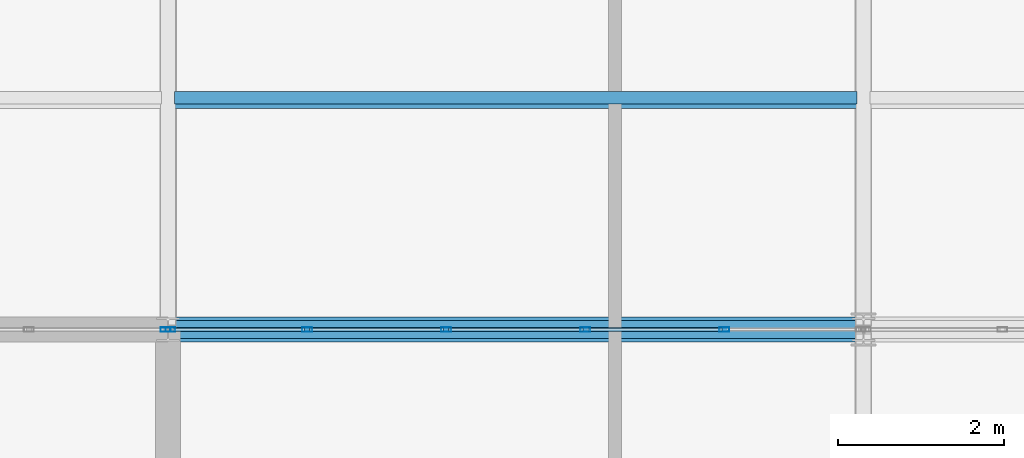
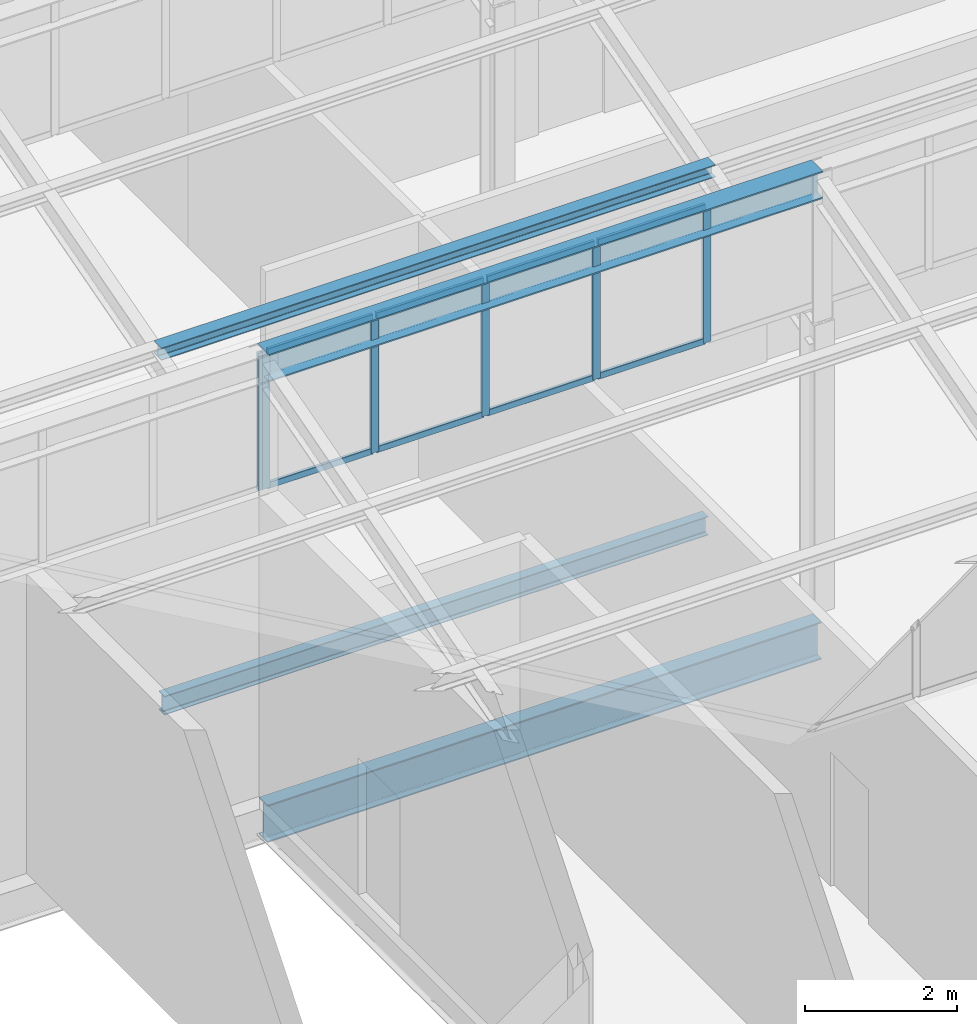
# One storey, part 22 of 53: 15 members, 3 beams, 2 elements without a shape of their own.
"""IFC4 building model written with IfcOpenShell, lengths in metres."""

from ifc_helpers import new_model, si_unit, direction, frame, origin, origin_2d, place, context, subcontext, project, spatial, hollow_rectangle, i_section, extrude, material, layer, layer_set, material_profile, profile_set, type_object, element, aggregate, save


model = new_model("IFC4")

# Units and contexts
model_context = context("Model", 3, precision=1e-05, world=origin(), true_north=direction((0.0, 1.0)))
body_context = subcontext(model_context, "Body", "Model", "MODEL_VIEW")
ifc_project = project(units=[si_unit("LENGTHUNIT", "METRE"), si_unit("AREAUNIT", "SQUARE_METRE"), si_unit("VOLUMEUNIT", "CUBIC_METRE"), si_unit("PLANEANGLEUNIT", "RADIAN"), si_unit("MASSUNIT", "GRAM", prefix="KILO")], contexts=[model_context])

# Site, building, storey
site_placement = place(None, origin())
site = spatial("IfcSite", under=ifc_project, at=site_placement, CompositionType="ELEMENT")
building_placement = place(site_placement, origin())
building = spatial("IfcBuilding", under=site, at=building_placement, Name="Qalvenar Corner Mobility Hub", CompositionType="ELEMENT")
storey_placement = place(building_placement, frame((0.0, 0.0, 26.39990234375)))
storey = spatial("IfcBuildingStorey", under=building, at=storey_placement, Name="L06", CompositionType="ELEMENT", Elevation=26.39990234375)

# Beams
ifc_material_1 = material(Name="Steel S355", Category="steel")
ifc_material_profile_1 = material_profile(ifc_material_1, i_section(OverallWidth=0.300048828125, OverallDepth=0.43994140625, WebThickness=0.011474609375, FlangeThickness=0.02099609375, FilletRadius=0.027099609375, at=origin_2d()), Name="HEA450")
ifc_profile_set_1 = profile_set([ifc_material_profile_1], Name="Steel S355")
beam_type_1 = type_object("IfcBeamType", Name="BM-HEA450", PredefinedType="BEAM", material=ifc_profile_set_1)
beam_1_placement = place(storey_placement, frame((16.800048828125, 16.800048828125, 6.81005859375), z_axis=(1.0, 0.0, 0.0), x_axis=(0.0, 1.0, 0.0)))
element("IfcBeam", 1, at=beam_1_placement, inside=storey, type_object=beam_type_1, Name="Sawtooth Ridge Girder V3RDG-2-3", PredefinedType="BEAM", context=body_context, shape_type="SweptSolid", body=[
    extrude(i_section(OverallWidth=0.300048828125, OverallDepth=0.43994140625, WebThickness=0.011474609375, FlangeThickness=0.02099609375, FilletRadius=0.027099609375, at=origin_2d()), origin(), (0.0, 0.0, 1.0), 8.39990234375),
])
ifc_material_profile_2 = material_profile(ifc_material_1, i_section(OverallWidth=0.219970703125, OverallDepth=0.60009765625, WebThickness=0.011962890625, FlangeThickness=0.01904296875, FilletRadius=0.02392578125, at=origin_2d()), Name="IPE600")
ifc_profile_set_2 = profile_set([ifc_material_profile_2], Name="Steel S355")
beam_type_2 = type_object("IfcBeamType", Name="BM-IPE600", PredefinedType="BEAM", material=ifc_profile_set_2)
beam_2_placement = place(storey_placement, frame((16.800048828125, 16.800048828125, -0.52001953125), z_axis=(1.0, 0.0, 0.0), x_axis=(0.0, 1.0, 0.0)))
element("IfcBeam", 2, at=beam_2_placement, inside=storey, type_object=beam_type_2, Name="Primary Steel Girder GX-3064", PredefinedType="BEAM", context=body_context, shape_type="SweptSolid", body=[
    extrude(i_section(OverallWidth=0.219970703125, OverallDepth=0.60009765625, WebThickness=0.011962890625, FlangeThickness=0.01904296875, FilletRadius=0.02392578125, at=origin_2d()), origin(), (0.0, 0.0, 1.0), 8.39990234375),
])
ifc_material_profile_3 = material_profile(ifc_material_1, i_section(OverallWidth=0.14990234375, OverallDepth=0.300048828125, WebThickness=0.007080078125, FlangeThickness=0.0107421875, FilletRadius=0.014892578125, at=origin_2d()), Name="IPE300")
ifc_profile_set_3 = profile_set([ifc_material_profile_3], Name="Steel S355")
beam_type_3 = type_object("IfcBeamType", Name="BM-JST300", PredefinedType="JOIST", material=ifc_profile_set_3)
beam_3_placement = place(storey_placement, frame((16.8779296875, 19.60009765625, -0.369873046875), z_axis=(1.0, 0.0, 0.0), x_axis=(0.0, 1.0, 0.0)))
element("IfcBeam", 3, at=beam_3_placement, inside=storey, type_object=beam_type_3, Name="Composite Floor Joist J-3120", PredefinedType="JOIST", context=body_context, shape_type="SweptSolid", body=[
    extrude(i_section(OverallWidth=0.14990234375, OverallDepth=0.300048828125, WebThickness=0.007080078125, FlangeThickness=0.0107421875, FilletRadius=0.014892578125, at=origin_2d()), origin(), (0.0, 0.0, 1.0), 8.244140625),
])

# Curtain wall, member
ifc_material_2 = material(Name="Anodised Aluminium and Low-E Glazing", Category="aluminium")
ifc_layer = layer(ifc_material_2, 0.1201171875)
ifc_layer_set = layer_set([ifc_layer], Name="Anodised Aluminium and Low-E Glazing")
curtain_wall_type = type_object("IfcCurtainWallType", Name="CW-CLR-84X24", PredefinedType="NOTDEFINED", material=ifc_layer_set)
curtain_wall_1_placement = place(storey_placement, origin())
curtain_wall_1 = element("IfcCurtainWall", 4, at=curtain_wall_1_placement, inside=storey, type_object=curtain_wall_type, Name="Glazed Curtain Wall CW-V3-SAW-2-1", PredefinedType="NOTDEFINED")
ifc_material_3 = material(Name="Anodised Aluminium 6063-T6", Category="aluminium")
ifc_material_profile_4 = material_profile(ifc_material_3, hollow_rectangle(XDim=0.054931640625, YDim=0.1201171875, WallThickness=0.00341796875, InnerFilletRadius=0.00341796875, OuterFilletRadius=0.007080078125, at=origin_2d()), Name="RHS120x55x3.5")
ifc_profile_set_4 = profile_set([ifc_material_profile_4], Name="Anodised Aluminium 6063-T6")
member_type_1 = type_object("IfcMemberType", Name="CW-MUL120", PredefinedType="MULLION", material=ifc_profile_set_4)
member_1_placement = place(storey_placement, frame((16.77001953125, 16.800048828125, 4.800048828125), z_axis=(0.0, 0.0, 1.0), x_axis=(0.0, -1.0, 0.0)))
member_1 = element("IfcMember", 5, at=member_1_placement, type_object=member_type_1, Name="CW-12 mullion 1", PredefinedType="MULLION", context=body_context, shape_type="SweptSolid", body=[
    extrude(hollow_rectangle(XDim=0.054931640625, YDim=0.1201171875, WallThickness=0.00341796875, InnerFilletRadius=0.00341796875, OuterFilletRadius=0.007080078125, at=origin_2d()), origin(), (0.0, 0.0, 1.0), 2.199951171875),
])
aggregate(curtain_wall_1, [member_1])

# Curtain wall, members
curtain_wall_2_placement = place(storey_placement, origin())
curtain_wall_2 = element("IfcCurtainWall", 6, at=curtain_wall_2_placement, inside=storey, type_object=curtain_wall_type, Name="Glazed Curtain Wall CW-V3-SAW-2-2", PredefinedType="NOTDEFINED")
member_2_placement = place(storey_placement, frame((23.52001953125, 16.800048828125, 4.800048828125), z_axis=(0.0, 0.0, 1.0), x_axis=(0.0, -1.0, 0.0)))
member_2 = element("IfcMember", 7, at=member_2_placement, type_object=member_type_1, Name="CW-12 mullion 2", PredefinedType="MULLION", context=body_context, shape_type="SweptSolid", body=[
    extrude(hollow_rectangle(XDim=0.054931640625, YDim=0.1201171875, WallThickness=0.00341796875, InnerFilletRadius=0.00341796875, OuterFilletRadius=0.007080078125, at=origin_2d()), origin(), (0.0, 0.0, 1.0), 2.199951171875),
])
member_3_placement = place(storey_placement, frame((21.840087890625, 16.800048828125, 4.800048828125), z_axis=(0.0, 0.0, 1.0), x_axis=(0.0, -1.0, 0.0)))
member_3 = element("IfcMember", 8, at=member_3_placement, type_object=member_type_1, Name="CW-12 mullion 3", PredefinedType="MULLION", context=body_context, shape_type="SweptSolid", body=[
    extrude(hollow_rectangle(XDim=0.054931640625, YDim=0.1201171875, WallThickness=0.00341796875, InnerFilletRadius=0.00341796875, OuterFilletRadius=0.007080078125, at=origin_2d()), origin(), (0.0, 0.0, 1.0), 2.199951171875),
])
member_4_placement = place(storey_placement, frame((20.159912109375, 16.800048828125, 4.800048828125), z_axis=(0.0, 0.0, 1.0), x_axis=(0.0, -1.0, 0.0)))
member_4 = element("IfcMember", 9, at=member_4_placement, type_object=member_type_1, Name="CW-12 mullion 4", PredefinedType="MULLION", context=body_context, shape_type="SweptSolid", body=[
    extrude(hollow_rectangle(XDim=0.054931640625, YDim=0.1201171875, WallThickness=0.00341796875, InnerFilletRadius=0.00341796875, OuterFilletRadius=0.007080078125, at=origin_2d()), origin(), (0.0, 0.0, 1.0), 2.199951171875),
])
member_5_placement = place(storey_placement, frame((18.47998046875, 16.800048828125, 4.800048828125), z_axis=(0.0, 0.0, 1.0), x_axis=(0.0, -1.0, 0.0)))
member_5 = element("IfcMember", 10, at=member_5_placement, type_object=member_type_1, Name="CW-12 mullion 5", PredefinedType="MULLION", context=body_context, shape_type="SweptSolid", body=[
    extrude(hollow_rectangle(XDim=0.054931640625, YDim=0.1201171875, WallThickness=0.00341796875, InnerFilletRadius=0.00341796875, OuterFilletRadius=0.007080078125, at=origin_2d()), origin(), (0.0, 0.0, 1.0), 2.199951171875),
])
member_6_placement = place(storey_placement, frame((16.830078125, 16.800048828125, 4.800048828125), z_axis=(0.0, 0.0, 1.0), x_axis=(0.0, -1.0, 0.0)))
member_6 = element("IfcMember", 11, at=member_6_placement, type_object=member_type_1, Name="CW-12 mullion 6", PredefinedType="MULLION", context=body_context, shape_type="SweptSolid", body=[
    extrude(hollow_rectangle(XDim=0.054931640625, YDim=0.1201171875, WallThickness=0.00341796875, InnerFilletRadius=0.00341796875, OuterFilletRadius=0.007080078125, at=origin_2d()), origin(), (0.0, 0.0, 1.0), 2.199951171875),
])
ifc_material_profile_5 = material_profile(ifc_material_3, hollow_rectangle(XDim=0.050048828125, YDim=0.10009765625, WallThickness=0.0029296875, InnerFilletRadius=0.0029296875, OuterFilletRadius=0.006103515625, at=origin_2d()), Name="RHS100x50x3")
ifc_profile_set_5 = profile_set([ifc_material_profile_5], Name="Anodised Aluminium 6063-T6")
member_type_2 = type_object("IfcMemberType", Name="CW-TRN100", PredefinedType="USERDEFINED", material=ifc_profile_set_5)
member_7_placement = place(storey_placement, frame((23.489990234375, 16.800048828125, 4.82763671875), z_axis=(-1.0, 0.0, 0.0), x_axis=(0.0, -1.0, 0.0)))
member_7 = element("IfcMember", 12, at=member_7_placement, type_object=member_type_2, Name="CW-12 transom 2.1", ObjectType="TRANSOM", PredefinedType="USERDEFINED", context=body_context, shape_type="SweptSolid", body=[
    extrude(hollow_rectangle(XDim=0.050048828125, YDim=0.10009765625, WallThickness=0.0029296875, InnerFilletRadius=0.0029296875, OuterFilletRadius=0.006103515625, at=origin_2d()), origin(), (0.0, 0.0, 1.0), 1.619873046875),
])
member_8_placement = place(storey_placement, frame((23.489990234375, 16.800048828125, 6.97265625), z_axis=(-1.0, 0.0, 0.0), x_axis=(0.0, -1.0, 0.0)))
member_8 = element("IfcMember", 13, at=member_8_placement, type_object=member_type_2, Name="CW-12 transom 2.2", ObjectType="TRANSOM", PredefinedType="USERDEFINED", context=body_context, shape_type="SweptSolid", body=[
    extrude(hollow_rectangle(XDim=0.050048828125, YDim=0.10009765625, WallThickness=0.0029296875, InnerFilletRadius=0.0029296875, OuterFilletRadius=0.006103515625, at=origin_2d()), origin(), (0.0, 0.0, 1.0), 1.619873046875),
])
member_9_placement = place(storey_placement, frame((21.81005859375, 16.800048828125, 4.82763671875), z_axis=(-1.0, 0.0, 0.0), x_axis=(0.0, -1.0, 0.0)))
member_9 = element("IfcMember", 14, at=member_9_placement, type_object=member_type_2, Name="CW-12 transom 3.1", ObjectType="TRANSOM", PredefinedType="USERDEFINED", context=body_context, shape_type="SweptSolid", body=[
    extrude(hollow_rectangle(XDim=0.050048828125, YDim=0.10009765625, WallThickness=0.0029296875, InnerFilletRadius=0.0029296875, OuterFilletRadius=0.006103515625, at=origin_2d()), origin(), (0.0, 0.0, 1.0), 1.6201171875),
])
member_10_placement = place(storey_placement, frame((21.81005859375, 16.800048828125, 6.97265625), z_axis=(-1.0, 0.0, 0.0), x_axis=(0.0, -1.0, 0.0)))
member_10 = element("IfcMember", 15, at=member_10_placement, type_object=member_type_2, Name="CW-12 transom 3.2", ObjectType="TRANSOM", PredefinedType="USERDEFINED", context=body_context, shape_type="SweptSolid", body=[
    extrude(hollow_rectangle(XDim=0.050048828125, YDim=0.10009765625, WallThickness=0.0029296875, InnerFilletRadius=0.0029296875, OuterFilletRadius=0.006103515625, at=origin_2d()), origin(), (0.0, 0.0, 1.0), 1.6201171875),
])
member_11_placement = place(storey_placement, frame((20.1298828125, 16.800048828125, 4.82763671875), z_axis=(-1.0, 0.0, 0.0), x_axis=(0.0, -1.0, 0.0)))
member_11 = element("IfcMember", 16, at=member_11_placement, type_object=member_type_2, Name="CW-12 transom 4.1", ObjectType="TRANSOM", PredefinedType="USERDEFINED", context=body_context, shape_type="SweptSolid", body=[
    extrude(hollow_rectangle(XDim=0.050048828125, YDim=0.10009765625, WallThickness=0.0029296875, InnerFilletRadius=0.0029296875, OuterFilletRadius=0.006103515625, at=origin_2d()), origin(), (0.0, 0.0, 1.0), 1.619873046875),
])
member_12_placement = place(storey_placement, frame((20.1298828125, 16.800048828125, 6.97265625), z_axis=(-1.0, 0.0, 0.0), x_axis=(0.0, -1.0, 0.0)))
member_12 = element("IfcMember", 17, at=member_12_placement, type_object=member_type_2, Name="CW-12 transom 4.2", ObjectType="TRANSOM", PredefinedType="USERDEFINED", context=body_context, shape_type="SweptSolid", body=[
    extrude(hollow_rectangle(XDim=0.050048828125, YDim=0.10009765625, WallThickness=0.0029296875, InnerFilletRadius=0.0029296875, OuterFilletRadius=0.006103515625, at=origin_2d()), origin(), (0.0, 0.0, 1.0), 1.619873046875),
])
member_13_placement = place(storey_placement, frame((18.449951171875, 16.800048828125, 4.82763671875), z_axis=(-1.0, 0.0, 0.0), x_axis=(0.0, -1.0, 0.0)))
member_13 = element("IfcMember", 18, at=member_13_placement, type_object=member_type_2, Name="CW-12 transom 5.1", ObjectType="TRANSOM", PredefinedType="USERDEFINED", context=body_context, shape_type="SweptSolid", body=[
    extrude(hollow_rectangle(XDim=0.050048828125, YDim=0.10009765625, WallThickness=0.0029296875, InnerFilletRadius=0.0029296875, OuterFilletRadius=0.006103515625, at=origin_2d()), origin(), (0.0, 0.0, 1.0), 1.58984375),
])
member_14_placement = place(storey_placement, frame((18.449951171875, 16.800048828125, 6.97265625), z_axis=(-1.0, 0.0, 0.0), x_axis=(0.0, -1.0, 0.0)))
member_14 = element("IfcMember", 19, at=member_14_placement, type_object=member_type_2, Name="CW-12 transom 5.2", ObjectType="TRANSOM", PredefinedType="USERDEFINED", context=body_context, shape_type="SweptSolid", body=[
    extrude(hollow_rectangle(XDim=0.050048828125, YDim=0.10009765625, WallThickness=0.0029296875, InnerFilletRadius=0.0029296875, OuterFilletRadius=0.006103515625, at=origin_2d()), origin(), (0.0, 0.0, 1.0), 1.58984375),
])
aggregate(curtain_wall_2, [member_2, member_3, member_4, member_5, member_6, member_7, member_8, member_9, member_10, member_11, member_12, member_13, member_14])

# Member
ifc_material_profile_6 = material_profile(ifc_material_1, i_section(OverallWidth=0.199951171875, OverallDepth=0.199951171875, WebThickness=0.009033203125, FlangeThickness=0.014892578125, FilletRadius=0.01806640625, at=origin_2d()), Name="HEB200")
ifc_profile_set_6 = profile_set([ifc_material_profile_6], Name="Steel S355")
member_type_3 = type_object("IfcMemberType", Name="PR-RHS200", PredefinedType="PURLIN", material=ifc_profile_set_6)
member_15_placement = place(storey_placement, frame((16.800048828125, 19.572021484375, 5.322021484375), z_axis=(1.0, 0.0, 0.0), x_axis=(0.0, 1.0, 0.0)))
element("IfcMember", 20, at=member_15_placement, inside=storey, type_object=member_type_3, Name="Sawtooth Roof Purlin PR-V3-3-3-33", PredefinedType="PURLIN", context=body_context, shape_type="SweptSolid", body=[
    extrude(i_section(OverallWidth=0.199951171875, OverallDepth=0.199951171875, WebThickness=0.009033203125, FlangeThickness=0.014892578125, FilletRadius=0.01806640625, at=origin_2d()), origin(), (0.0, 0.0, 1.0), 8.39990234375),
])

save(model, "model.ifc")
